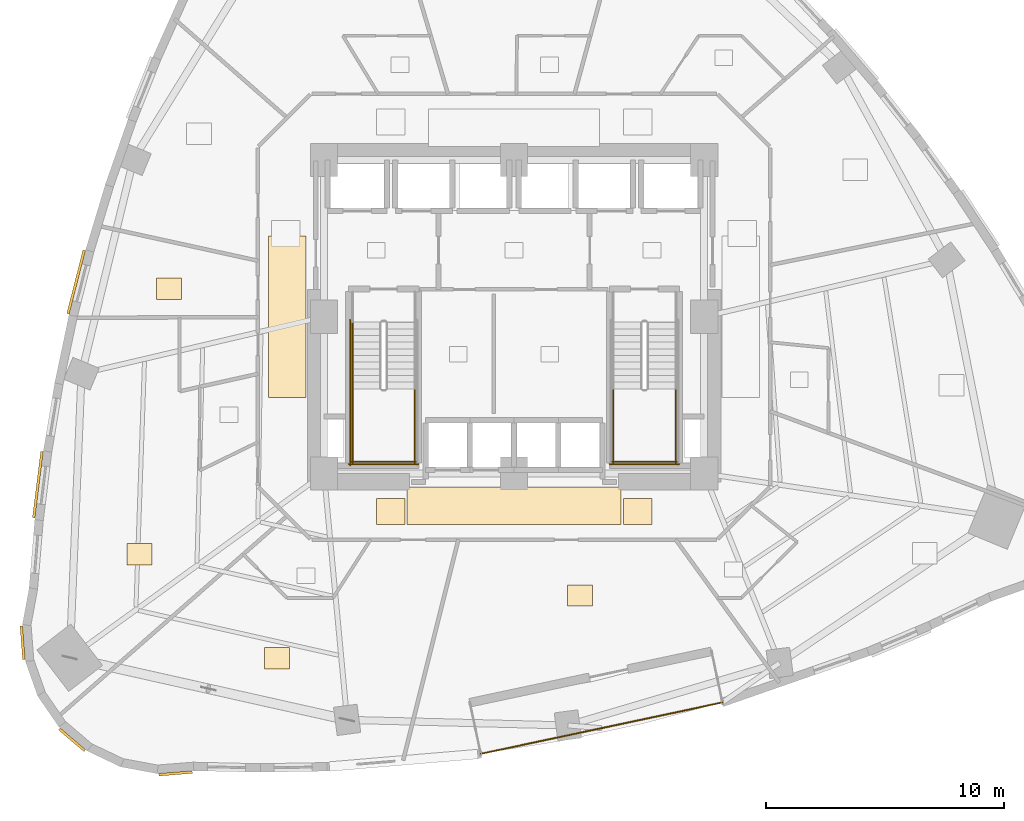
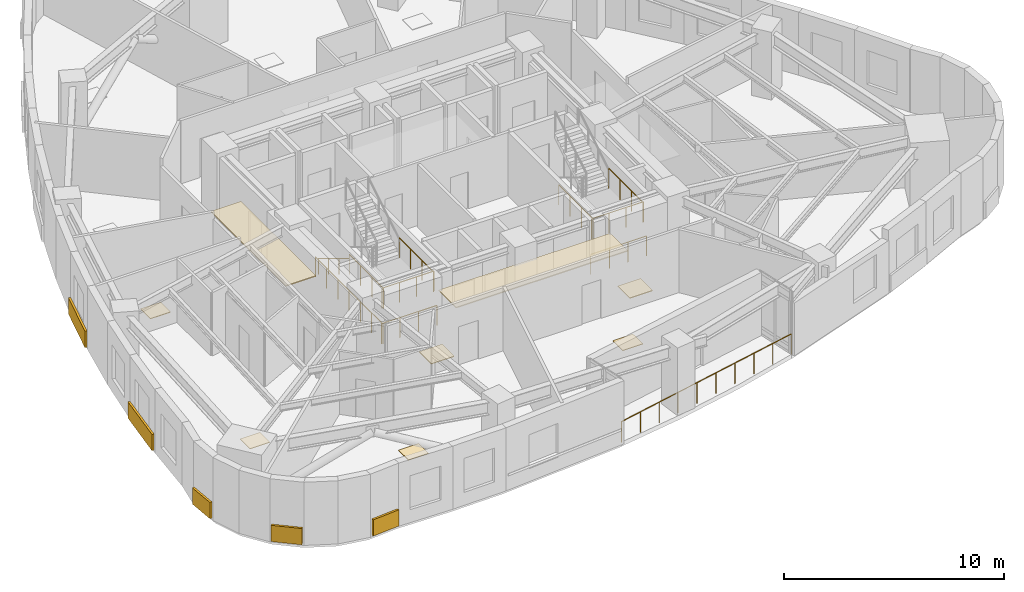
# One storey, part 10 of 12: 13 coverings, 11 railings.
"""IFC4 building model written with IfcOpenShell, lengths in metres."""

from ifc_helpers import new_model, si_unit, direction, frame, origin, origin_2d, place, context, subcontext, project, spatial, rectangle, circle, extrude, material, layer, layer_set, type_object, element, save


model = new_model("IFC4")

# Units and contexts
model_context = context("Model", 3, precision=1e-05, world=origin(), true_north=direction((0.0, 1.0)))
body_context = subcontext(model_context, "Body", "Model", "MODEL_VIEW")
ifc_project = project(units=[si_unit("LENGTHUNIT", "METRE"), si_unit("AREAUNIT", "SQUARE_METRE"), si_unit("VOLUMEUNIT", "CUBIC_METRE"), si_unit("PLANEANGLEUNIT", "RADIAN"), si_unit("MASSUNIT", "GRAM", prefix="KILO")], contexts=[model_context])

# Site, building, storey
site_placement = place(None, origin())
site = spatial("IfcSite", under=ifc_project, at=site_placement, CompositionType="ELEMENT")
building_placement = place(site_placement, origin())
building = spatial("IfcBuilding", under=site, at=building_placement, Name="Ndelora Gate Hotel", CompositionType="ELEMENT")
storey_placement = place(building_placement, frame((0.0, 0.0, 71.75)))
storey = spatial("IfcBuildingStorey", under=building, at=storey_placement, Name="L17", CompositionType="ELEMENT", Elevation=71.75)

# Coverings
ifc_material_1 = material(Name="Perforated Acoustic Gypsum Board", Category="gypsum")
ifc_layer_1 = layer(ifc_material_1, 0.054931640625)
ifc_layer_set_1 = layer_set([ifc_layer_1], Name="Perforated Acoustic Gypsum Board")
covering_type_1 = type_object("IfcCoveringType", Name="COV-CEIL-AC60", PredefinedType="CEILING", material=ifc_layer_set_1)
covering_1_placement = place(storey_placement, frame((-9.550048828125, 0.0, 2.65234375), z_axis=(0.0, 0.0, 1.0), x_axis=(1.0, 0.0, 0.0)))
element("IfcCovering", 1, at=covering_1_placement, inside=storey, type_object=covering_type_1, Name="L17 Guest Corridor Acoustic Ceiling W", PredefinedType="CEILING", context=body_context, shape_type="SweptSolid", body=[
    extrude(rectangle(XDim=1.580078125, YDim=6.800048828125, at=origin_2d()), origin(), (0.0, 0.0, 1.0), 0.054931640625),
])
covering_2_placement = place(storey_placement, frame((0.0, -7.9599609375, 2.65234375), z_axis=(0.0, 0.0, 1.0), x_axis=(1.0, 0.0, 0.0)))
element("IfcCovering", 2, at=covering_2_placement, inside=storey, type_object=covering_type_1, Name="L17 Guest Corridor Acoustic Ceiling S", PredefinedType="CEILING", context=body_context, shape_type="SweptSolid", body=[
    extrude(rectangle(XDim=9.0, YDim=1.580078125, at=origin_2d()), origin(), (0.0, 0.0, 1.0), 0.054931640625),
])
ifc_material_2 = material(Name="Terracotta Fired Clay Brick Slip Cladding", Category="masonry")
ifc_layer_2 = layer(ifc_material_2, 0.110107421875)
ifc_layer_set_2 = layer_set([ifc_layer_2], Name="Terracotta Fired Clay Brick Slip Cladding")
covering_type_2 = type_object("IfcCoveringType", Name="COV-CLAD-BRK", PredefinedType="CLADDING", material=ifc_layer_set_2)
covering_3_placement = place(storey_placement, frame((-18.433837890625, 1.464599609375, 0.10009765625), z_axis=(0.0, 0.0, 1.0), x_axis=(0.247506354292, 0.968886270202, 0.0)))
element("IfcCovering", 3, at=covering_3_placement, inside=storey, type_object=covering_type_2, Name="L17 Rounded-Corner Brick Cladding Band 16", PredefinedType="CLADDING", context=body_context, shape_type="SweptSolid", body=[
    extrude(rectangle(XDim=2.764892578125, YDim=0.110107421875, at=origin_2d()), origin(), (0.0, 0.0, 1.0), 0.89990234375),
])
covering_4_placement = place(storey_placement, frame((-20.043701171875, -7.0615234375, 0.10009765625), z_axis=(0.0, 0.0, 1.0), x_axis=(0.123774669453, 0.992310350244, 0.0)))
element("IfcCovering", 4, at=covering_4_placement, inside=storey, type_object=covering_type_2, Name="L17 Rounded-Corner Brick Cladding Band 19", PredefinedType="CLADDING", context=body_context, shape_type="SweptSolid", body=[
    extrude(rectangle(XDim=2.81103515625, YDim=0.110107421875, at=origin_2d()), origin(), (0.0, 0.0, 1.0), 0.89990234375),
])
for number, where, z_axis, x_axis, name in (
    (5, (-20.685546875, -13.723388671875, 0.10009765625), (0.0, 0.0, 1.0), (-0.078459095728, 0.996917333733, 0.0), "L17 Rounded-Corner Brick Cladding Band 22"),
    (6, (-18.606201171875, -17.80419921875, 0.10009765625), (0.0, 0.0, 1.0), (-0.7604059656, 0.64944804833, 0.0), "L17 Rounded-Corner Brick Cladding Band 25"),
    (7, (-14.250732421875, -19.219482421875, 0.10009765625), (0.0, 0.0, 1.0), (0.996917333733, 0.078459095728, 0.0), "L17 Rounded-Corner Brick Cladding Band 28"),
):
    element("IfcCovering", number, at=place(storey_placement, frame(where, z_axis=z_axis, x_axis=x_axis)), inside=storey, type_object=covering_type_2, Name=name, PredefinedType="CLADDING", context=body_context, shape_type="SweptSolid", body=[
        extrude(rectangle(XDim=1.4140625, YDim=0.110107421875, at=origin_2d()), origin(), (0.0, 0.0, 1.0), 0.89990234375),
    ])
ifc_material_3 = material(Name="Engineered Highland Oak Parquet", Category="wood")
ifc_layer_3 = layer(ifc_material_3, 0.030029296875)
ifc_layer_set_3 = layer_set([ifc_layer_3], Name="Engineered Highland Oak Parquet")
covering_type_3 = type_object("IfcCoveringType", Name="COV-FLR-PARQ", PredefinedType="FLOORING", material=ifc_layer_set_3)
for number, where, z_axis, x_axis, name in (
    (8, (-15.77001953125, -10.001953125, 0.0), (0.0, 0.0, 1.0), (1.0, 0.0, 0.0), "L17 Two-Bay Diplomatic Suite 2001 Oak Parquet Flooring"),
    (9, (-9.977783203125, -14.3671875, 0.0), (0.0, 0.0, 1.0), (1.0, 0.0, 0.0), "L17 Corner Executive Suite 2002 Oak Parquet Flooring"),
    (10, (2.782958984375, -11.73095703125, 0.0), (0.0, 0.0, 1.0), (1.0, 0.0, 0.0), "L17 Sky Garden Tea Dining Room Oak Parquet Flooring"),
    (11, (-14.523193359375, 1.17236328125, 0.0), (0.0, 0.0, 1.0), (1.0, 0.0, 0.0), "L17 Housekeeping and Linen Room Oak Parquet Flooring"),
):
    element("IfcCovering", number, at=place(storey_placement, frame(where, z_axis=z_axis, x_axis=x_axis)), inside=storey, type_object=covering_type_3, Name=name, PredefinedType="FLOORING", context=body_context, shape_type="SweptSolid", body=[
        extrude(rectangle(XDim=1.050048828125, YDim=0.89990234375, at=origin_2d()), origin(), (0.0, 0.0, 1.0), 0.030029296875),
    ])
ifc_material_4 = material(Name="Polished Highland Stone Terrazzo", Category="masonry")
ifc_layer_4 = layer(ifc_material_4, 0.034912109375)
ifc_layer_set_4 = layer_set([ifc_layer_4], Name="Polished Highland Stone Terrazzo")
covering_type_4 = type_object("IfcCoveringType", Name="COV-FLR-TERZ", PredefinedType="FLOORING", material=ifc_layer_set_4)
for number, where, z_axis, x_axis, name in (
    (12, (-5.199951171875, -8.199951171875, 0.0), (0.0, 0.0, 1.0), (1.0, 0.0, 0.0), "L17 Corridor Threshold Terrazzo Inlay SW"),
    (13, (5.199951171875, -8.199951171875, 0.0), (0.0, 0.0, 1.0), (1.0, 0.0, 0.0), "L17 Corridor Threshold Terrazzo Inlay SE"),
):
    element("IfcCovering", number, at=place(storey_placement, frame(where, z_axis=z_axis, x_axis=x_axis)), inside=storey, type_object=covering_type_4, Name=name, PredefinedType="FLOORING", context=body_context, shape_type="SweptSolid", body=[
        extrude(rectangle(XDim=1.199951171875, YDim=1.10009765625, at=origin_2d()), origin(), (0.0, 0.0, 1.0), 0.034912109375),
    ])

# Railings
ifc_material_5 = material(Name="Laminated Safety Glass and Bronze Top Rail", Category="glass")
ifc_layer_5 = layer(ifc_material_5, 0.070068359375)
ifc_layer_set_5 = layer_set([ifc_layer_5], Name="Laminated Safety Glass and Bronze Top Rail")
railing_type_1 = type_object("IfcRailingType", Name="RL-BAL-1150", PredefinedType="BALUSTRADE", material=ifc_layer_set_5)
railing_1_placement = place(storey_placement, frame((-1.406005859375, -18.39599609375, 0.0)))
element("IfcRailing", 14, at=railing_1_placement, inside=storey, type_object=railing_type_1, Name="L17 Sky-Garden Loggia Terrace Balustrade", PredefinedType="BALUSTRADE", context=body_context, shape_type="SweptSolid", body=[
    extrude(circle(Radius=0.02392578125, at=origin_2d()), frame((0.0, 0.0, 1.1357421875), z_axis=(0.978151452323, 0.207893569688, 0.0), x_axis=(-0.207893569688, 0.978151452323, 0.0)), (0.0, 0.0, 1.0), 10.400146484375),
    extrude(circle(Radius=0.02099609375, at=origin_2d()), origin(), (0.0, 0.0, 1.0), 1.11181640625),
    extrude(circle(Radius=0.02099609375, at=origin_2d()), frame((1.13037109375, 0.240234375, 0.0)), (0.0, 0.0, 1.0), 1.11181640625),
    extrude(circle(Radius=0.02099609375, at=origin_2d()), frame((2.2607421875, 0.48046875, 0.0)), (0.0, 0.0, 1.0), 1.11181640625),
    extrude(circle(Radius=0.02099609375, at=origin_2d()), frame((3.390869140625, 0.720703125, 0.0)), (0.0, 0.0, 1.0), 1.11181640625),
    extrude(circle(Radius=0.02099609375, at=origin_2d()), frame((4.521240234375, 0.9609375, 0.0)), (0.0, 0.0, 1.0), 1.11181640625),
    extrude(circle(Radius=0.02099609375, at=origin_2d()), frame((5.651611328125, 1.201171875, 0.0)), (0.0, 0.0, 1.0), 1.11181640625),
    extrude(circle(Radius=0.02099609375, at=origin_2d()), frame((6.781982421875, 1.44140625, 0.0)), (0.0, 0.0, 1.0), 1.11181640625),
    extrude(circle(Radius=0.02099609375, at=origin_2d()), frame((7.912109375, 1.681640625, 0.0)), (0.0, 0.0, 1.0), 1.11181640625),
    extrude(circle(Radius=0.02099609375, at=origin_2d()), frame((9.04248046875, 1.921875, 0.0)), (0.0, 0.0, 1.0), 1.11181640625),
    extrude(circle(Radius=0.02099609375, at=origin_2d()), frame((10.1728515625, 2.162109375, 0.0)), (0.0, 0.0, 1.0), 1.11181640625),
])
ifc_material_6 = material(Name="Painted Galvanized Steel Balustrade", Category="steel")
ifc_layer_6 = layer(ifc_material_6, 0.06005859375)
ifc_layer_set_6 = layer_set([ifc_layer_6], Name="Painted Galvanized Steel Balustrade")
railing_type_2 = type_object("IfcRailingType", Name="RL-STAIR-GD", PredefinedType="GUARDRAIL", material=ifc_layer_set_6)
for number, where, name in (
    (15, (-6.800048828125, -3.030029296875, 1.875), "L17 ST4 stair guard 3"),
    (16, (-4.179931640625, -3.030029296875, 1.875), "L17 ST4 stair guard 4"),
):
    element("IfcRailing", number, at=place(storey_placement, frame(where)), inside=storey, type_object=railing_type_2, Name=name, PredefinedType="GUARDRAIL", context=body_context, shape_type="SweptSolid", body=[
        extrude(circle(Radius=0.02392578125, at=origin_2d()), frame((0.0, 0.0, 1.10595703125), z_axis=(0.0, -1.0, 0.0), x_axis=(1.0, 0.0, 0.0)), (0.0, 0.0, 1.0), 3.119873046875),
        extrude(circle(Radius=0.02099609375, at=origin_2d()), origin(), (0.0, 0.0, 1.0), 1.081787109375),
        extrude(circle(Radius=0.02099609375, at=origin_2d()), frame((0.0, -1.0400390625, 0.0)), (0.0, 0.0, 1.0), 1.081787109375),
        extrude(circle(Radius=0.02099609375, at=origin_2d()), frame((0.0, -2.079833984375, 0.0)), (0.0, 0.0, 1.0), 1.081787109375),
        extrude(circle(Radius=0.02099609375, at=origin_2d()), frame((0.0, -3.119873046875, 0.0)), (0.0, 0.0, 1.0), 1.081787109375),
    ])
railing_2_placement = place(storey_placement, frame((-6.85009765625, -6.10009765625, 1.875)))
element("IfcRailing", 17, at=railing_2_placement, inside=storey, type_object=railing_type_2, Name="L17 ST4 stair guard 5", PredefinedType="GUARDRAIL", context=body_context, shape_type="SweptSolid", body=[
    extrude(circle(Radius=0.02392578125, at=origin_2d()), frame((0.0, 0.0, 1.10595703125), z_axis=(1.0, 0.0, 0.0), x_axis=(0.0, 1.0, 0.0)), (0.0, 0.0, 1.0), 2.72021484375),
    extrude(circle(Radius=0.02099609375, at=origin_2d()), origin(), (0.0, 0.0, 1.0), 1.081787109375),
    extrude(circle(Radius=0.02099609375, at=origin_2d()), frame((0.90673828125, 0.0, 0.0)), (0.0, 0.0, 1.0), 1.081787109375),
    extrude(circle(Radius=0.02099609375, at=origin_2d()), frame((1.8134765625, 0.0, 0.0)), (0.0, 0.0, 1.0), 1.081787109375),
    extrude(circle(Radius=0.02099609375, at=origin_2d()), frame((2.72021484375, 0.0, 0.0)), (0.0, 0.0, 1.0), 1.081787109375),
])
railing_3_placement = place(storey_placement, frame((-6.89990234375, -0.1298828125, 0.0)))
element("IfcRailing", 18, at=railing_3_placement, inside=storey, type_object=railing_type_2, Name="L17 ST4 stair guard 10", PredefinedType="GUARDRAIL", context=body_context, shape_type="SweptSolid", body=[
    extrude(circle(Radius=0.02392578125, at=origin_2d()), frame((0.0, 0.0, 1.10595703125), z_axis=(0.0, -1.0, 0.0), x_axis=(1.0, 0.0, 0.0)), (0.0, 0.0, 1.0), 6.1201171875),
    extrude(circle(Radius=0.02099609375, at=origin_2d()), origin(), (0.0, 0.0, 1.0), 1.081787109375),
    extrude(circle(Radius=0.02099609375, at=origin_2d()), frame((0.0, -1.02001953125, 0.0)), (0.0, 0.0, 1.0), 1.081787109375),
    extrude(circle(Radius=0.02099609375, at=origin_2d()), frame((0.0, -2.0400390625, 0.0)), (0.0, 0.0, 1.0), 1.081787109375),
    extrude(circle(Radius=0.02099609375, at=origin_2d()), frame((0.0, -3.06005859375, 0.0)), (0.0, 0.0, 1.0), 1.081787109375),
    extrude(circle(Radius=0.02099609375, at=origin_2d()), frame((0.0, -4.080078125, 0.0)), (0.0, 0.0, 1.0), 1.081787109375),
    extrude(circle(Radius=0.02099609375, at=origin_2d()), frame((0.0, -5.10009765625, 0.0)), (0.0, 0.0, 1.0), 1.081787109375),
    extrude(circle(Radius=0.02099609375, at=origin_2d()), frame((0.0, -6.1201171875, 0.0)), (0.0, 0.0, 1.0), 1.081787109375),
])
railing_4_placement = place(storey_placement, frame((-6.949951171875, -6.199951171875, 0.0)))
element("IfcRailing", 19, at=railing_4_placement, inside=storey, type_object=railing_type_2, Name="L17 ST4 stair guard 12", PredefinedType="GUARDRAIL", context=body_context, shape_type="SweptSolid", body=[
    extrude(circle(Radius=0.02392578125, at=origin_2d()), frame((0.0, 0.0, 1.10595703125), z_axis=(1.0, 0.0, 0.0), x_axis=(0.0, 1.0, 0.0)), (0.0, 0.0, 1.0), 2.919921875),
    extrude(circle(Radius=0.02099609375, at=origin_2d()), origin(), (0.0, 0.0, 1.0), 1.081787109375),
    extrude(circle(Radius=0.02099609375, at=origin_2d()), frame((0.973388671875, 0.0, 0.0)), (0.0, 0.0, 1.0), 1.081787109375),
    extrude(circle(Radius=0.02099609375, at=origin_2d()), frame((1.946533203125, 0.0, 0.0)), (0.0, 0.0, 1.0), 1.081787109375),
    extrude(circle(Radius=0.02099609375, at=origin_2d()), frame((2.919921875, 0.0, 0.0)), (0.0, 0.0, 1.0), 1.081787109375),
])
for number, where, name in (
    (20, (4.179931640625, -3.030029296875, 1.875), "L17 ST5 stair guard 3"),
    (21, (6.800048828125, -3.030029296875, 1.875), "L17 ST5 stair guard 4"),
):
    element("IfcRailing", number, at=place(storey_placement, frame(where)), inside=storey, type_object=railing_type_2, Name=name, PredefinedType="GUARDRAIL", context=body_context, shape_type="SweptSolid", body=[
        extrude(circle(Radius=0.02392578125, at=origin_2d()), frame((0.0, 0.0, 1.10595703125), z_axis=(0.0, -1.0, 0.0), x_axis=(1.0, 0.0, 0.0)), (0.0, 0.0, 1.0), 3.119873046875),
        extrude(circle(Radius=0.02099609375, at=origin_2d()), origin(), (0.0, 0.0, 1.0), 1.081787109375),
        extrude(circle(Radius=0.02099609375, at=origin_2d()), frame((0.0, -1.0400390625, 0.0)), (0.0, 0.0, 1.0), 1.081787109375),
        extrude(circle(Radius=0.02099609375, at=origin_2d()), frame((0.0, -2.079833984375, 0.0)), (0.0, 0.0, 1.0), 1.081787109375),
        extrude(circle(Radius=0.02099609375, at=origin_2d()), frame((0.0, -3.119873046875, 0.0)), (0.0, 0.0, 1.0), 1.081787109375),
    ])
railing_5_placement = place(storey_placement, frame((4.1298828125, -6.10009765625, 1.875)))
element("IfcRailing", 22, at=railing_5_placement, inside=storey, type_object=railing_type_2, Name="L17 ST5 stair guard 5", PredefinedType="GUARDRAIL", context=body_context, shape_type="SweptSolid", body=[
    extrude(circle(Radius=0.02392578125, at=origin_2d()), frame((0.0, 0.0, 1.10595703125), z_axis=(1.0, 0.0, 0.0), x_axis=(0.0, 1.0, 0.0)), (0.0, 0.0, 1.0), 2.72021484375),
    extrude(circle(Radius=0.02099609375, at=origin_2d()), origin(), (0.0, 0.0, 1.0), 1.081787109375),
    extrude(circle(Radius=0.02099609375, at=origin_2d()), frame((0.90673828125, 0.0, 0.0)), (0.0, 0.0, 1.0), 1.081787109375),
    extrude(circle(Radius=0.02099609375, at=origin_2d()), frame((1.8134765625, 0.0, 0.0)), (0.0, 0.0, 1.0), 1.081787109375),
    extrude(circle(Radius=0.02099609375, at=origin_2d()), frame((2.72021484375, 0.0, 0.0)), (0.0, 0.0, 1.0), 1.081787109375),
])
railing_6_placement = place(storey_placement, frame((4.030029296875, -6.199951171875, 0.0)))
element("IfcRailing", 23, at=railing_6_placement, inside=storey, type_object=railing_type_2, Name="L17 ST5 stair guard 12", PredefinedType="GUARDRAIL", context=body_context, shape_type="SweptSolid", body=[
    extrude(circle(Radius=0.02392578125, at=origin_2d()), frame((0.0, 0.0, 1.10595703125), z_axis=(1.0, 0.0, 0.0), x_axis=(0.0, 1.0, 0.0)), (0.0, 0.0, 1.0), 2.919921875),
    extrude(circle(Radius=0.02099609375, at=origin_2d()), origin(), (0.0, 0.0, 1.0), 1.081787109375),
    extrude(circle(Radius=0.02099609375, at=origin_2d()), frame((0.973388671875, 0.0, 0.0)), (0.0, 0.0, 1.0), 1.081787109375),
    extrude(circle(Radius=0.02099609375, at=origin_2d()), frame((1.946533203125, 0.0, 0.0)), (0.0, 0.0, 1.0), 1.081787109375),
    extrude(circle(Radius=0.02099609375, at=origin_2d()), frame((2.919921875, 0.0, 0.0)), (0.0, 0.0, 1.0), 1.081787109375),
])
ifc_material_7 = material(Name="Brushed Stainless Steel 316", Category="steel")
ifc_layer_7 = layer(ifc_material_7, 0.050048828125)
ifc_layer_set_7 = layer_set([ifc_layer_7], Name="Brushed Stainless Steel 316")
railing_type_3 = type_object("IfcRailingType", Name="RL-STAIR-HR", PredefinedType="HANDRAIL", material=ifc_layer_set_7)
railing_7_placement = place(storey_placement, frame((-6.800048828125, -0.22998046875, 0.17041015625)))
element("IfcRailing", 24, at=railing_7_placement, inside=storey, type_object=railing_type_3, Name="L17 ST4 stair handrail 1", PredefinedType="HANDRAIL", context=body_context, shape_type="SweptSolid", body=[
    extrude(circle(Radius=0.02392578125, at=origin_2d()), frame((0.0, 0.0, 0.8759765625), z_axis=(0.0, -0.854169791009, 0.51999420009), x_axis=(1.0, 0.0, 0.0)), (0.0, 0.0, 1.0), 3.278076171875),
    extrude(circle(Radius=0.02099609375, at=origin_2d()), origin(), (0.0, 0.0, 1.0), 0.851806640625),
    extrude(circle(Radius=0.02099609375, at=origin_2d()), frame((0.0, -0.933349609375, 0.568115234375)), (0.0, 0.0, 1.0), 0.851806640625),
    extrude(circle(Radius=0.02099609375, at=origin_2d()), frame((0.0, -1.86669921875, 1.136474609375)), (0.0, 0.0, 1.0), 0.851806640625),
    extrude(circle(Radius=0.02099609375, at=origin_2d()), frame((0.0, -2.800048828125, 1.70458984375)), (0.0, 0.0, 1.0), 0.851806640625),
])

save(model, "model.ifc")
